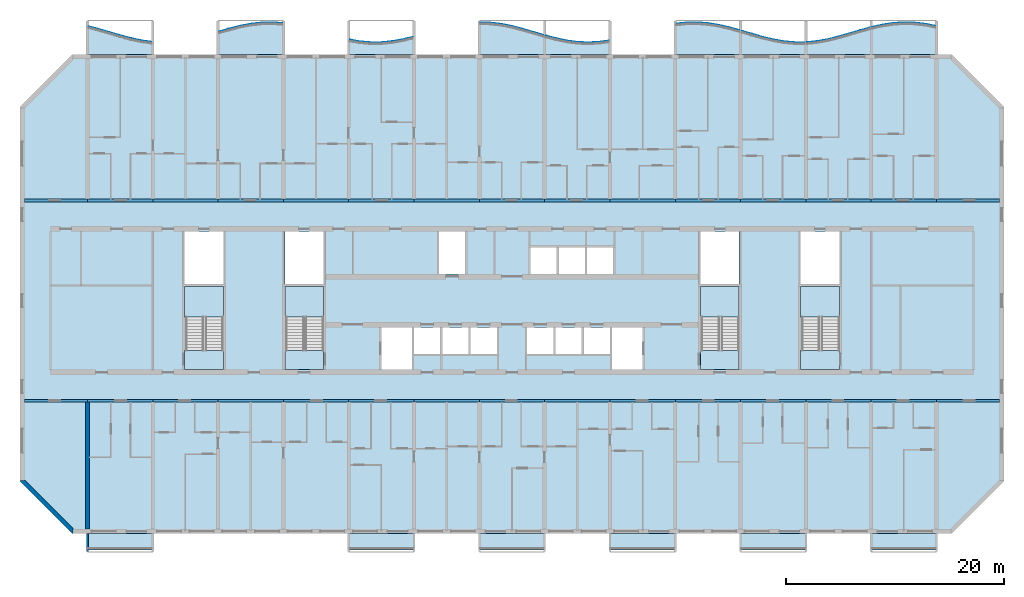
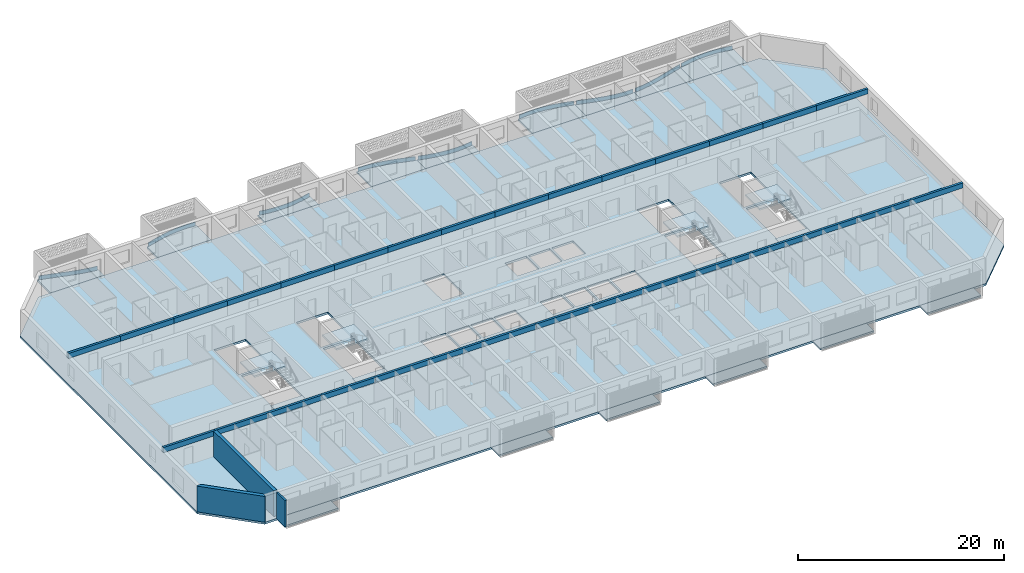
# One storey, part 1 of 30: 30 beams, 24 slabs, 9 plates, 3 walls, 4 elements without a shape of their own.
"""IFC4 building model written with IfcOpenShell, lengths in metres."""

from ifc_helpers import new_model, si_unit, direction, frame, frame_2d, origin, origin_2d, place, context, subcontext, project, spatial, polyline, rectangle, outline, extrude, source, transform, mapped, material, layer, layer_set, material_profile, profile_set, type_object, element, aggregate, save


model = new_model("IFC4")

# Units and contexts
model_context = context("Model", 3, precision=1e-05, world=origin(), true_north=direction((0.0, 1.0)))
body_context = subcontext(model_context, "Body", "Model", "MODEL_VIEW")
ifc_project = project(units=[si_unit("LENGTHUNIT", "METRE"), si_unit("AREAUNIT", "SQUARE_METRE"), si_unit("VOLUMEUNIT", "CUBIC_METRE"), si_unit("PLANEANGLEUNIT", "RADIAN"), si_unit("MASSUNIT", "GRAM", prefix="KILO")], contexts=[model_context])

# Site, building, storey
site_placement = place(None, origin())
site = spatial("IfcSite", under=ifc_project, at=site_placement, CompositionType="ELEMENT")
building_placement = place(site_placement, origin())
building = spatial("IfcBuilding", under=site, at=building_placement, Name="Poui Terraces", CompositionType="ELEMENT")
storey_placement = place(building_placement, frame((0.0, 0.0, 99.300048828125)))
storey = spatial("IfcBuildingStorey", under=building, at=storey_placement, Name="L27", CompositionType="ELEMENT", Elevation=99.300048828125)

# Beams
ifc_material_1 = material(Name="Concrete 65 MPa", Category="concrete")
ifc_material_profile = material_profile(ifc_material_1, rectangle(XDim=0.25, YDim=0.60009765625, at=origin_2d()), Name="RC 250x600")
ifc_profile_set = profile_set([ifc_material_profile], Name="Concrete 65 MPa")
beam_type = type_object("IfcBeamType", Name="COUPLING BEAM 250x600 65MPa", PredefinedType="BEAM", material=ifc_profile_set)
shared_shape_1 = source(origin(), body_context, "Body", "SweptSolid", [
    extrude(rectangle(XDim=0.25, YDim=0.60009765625, at=origin_2d()), origin(), (0.0, 0.0, 1.0), 5.800048828125),
])
for number, where, z_axis, x_axis, name in (
    (1, (6.199951171875, 12.0, 2.760009765625), (1.0, 0.0, 0.0), (0.0, 1.0, 0.0), "COUPLING BEAM LINE B BAY 1"),
    (2, (90.0, 12.0, 2.760009765625), (1.0, 0.0, 0.0), (0.0, 1.0, 0.0), "COUPLING BEAM LINE B BAY 15"),
    (3, (6.199951171875, 30.39990234375, 2.760009765625), (1.0, 0.0, 0.0), (0.0, 1.0, 0.0), "COUPLING BEAM LINE E BAY 1"),
    (4, (90.0, 30.39990234375, 2.760009765625), (1.0, 0.0, 0.0), (0.0, 1.0, 0.0), "COUPLING BEAM LINE E BAY 15"),
):
    element("IfcBeam", number, at=place(storey_placement, frame(where, z_axis=z_axis, x_axis=x_axis)), inside=storey, type_object=beam_type, Name=name, PredefinedType="BEAM", context=body_context, shape_type="MappedRepresentation", body=[
        mapped(shared_shape_1, transform((0.0, 0.0, 0.0))),
    ])
shared_shape_2 = source(origin(), body_context, "Body", "SweptSolid", [
    extrude(rectangle(XDim=0.25, YDim=0.60009765625, at=origin_2d()), origin(), (0.0, 0.0, 1.0), 6.0),
])
for number, where, z_axis, x_axis, name in (
    (5, (12.0, 12.0, 2.760009765625), (1.0, 0.0, 0.0), (0.0, 1.0, 0.0), "COUPLING BEAM LINE B BAY 2"),
    (6, (18.0, 12.0, 2.760009765625), (1.0, 0.0, 0.0), (0.0, 1.0, 0.0), "COUPLING BEAM LINE B BAY 3"),
    (7, (24.0, 12.0, 2.760009765625), (1.0, 0.0, 0.0), (0.0, 1.0, 0.0), "COUPLING BEAM LINE B BAY 4"),
    (8, (30.0, 12.0, 2.760009765625), (1.0, 0.0, 0.0), (0.0, 1.0, 0.0), "COUPLING BEAM LINE B BAY 5"),
    (9, (36.0, 12.0, 2.760009765625), (1.0, 0.0, 0.0), (0.0, 1.0, 0.0), "COUPLING BEAM LINE B BAY 6"),
    (10, (42.0, 12.0, 2.760009765625), (1.0, 0.0, 0.0), (0.0, 1.0, 0.0), "COUPLING BEAM LINE B BAY 7"),
    (11, (48.0, 12.0, 2.760009765625), (1.0, 0.0, 0.0), (0.0, 1.0, 0.0), "COUPLING BEAM LINE B BAY 8"),
    (12, (54.0, 12.0, 2.760009765625), (1.0, 0.0, 0.0), (0.0, 1.0, 0.0), "COUPLING BEAM LINE B BAY 9"),
    (13, (60.0, 12.0, 2.760009765625), (1.0, 0.0, 0.0), (0.0, 1.0, 0.0), "COUPLING BEAM LINE B BAY 10"),
    (14, (66.0, 12.0, 2.760009765625), (1.0, 0.0, 0.0), (0.0, 1.0, 0.0), "COUPLING BEAM LINE B BAY 11"),
    (15, (72.0, 12.0, 2.760009765625), (1.0, 0.0, 0.0), (0.0, 1.0, 0.0), "COUPLING BEAM LINE B BAY 12"),
    (16, (78.0, 12.0, 2.760009765625), (1.0, 0.0, 0.0), (0.0, 1.0, 0.0), "COUPLING BEAM LINE B BAY 13"),
    (17, (84.0, 12.0, 2.760009765625), (1.0, 0.0, 0.0), (0.0, 1.0, 0.0), "COUPLING BEAM LINE B BAY 14"),
    (18, (12.0, 30.39990234375, 2.760009765625), (1.0, 0.0, 0.0), (0.0, 1.0, 0.0), "COUPLING BEAM LINE E BAY 2"),
    (19, (18.0, 30.39990234375, 2.760009765625), (1.0, 0.0, 0.0), (0.0, 1.0, 0.0), "COUPLING BEAM LINE E BAY 3"),
    (20, (24.0, 30.39990234375, 2.760009765625), (1.0, 0.0, 0.0), (0.0, 1.0, 0.0), "COUPLING BEAM LINE E BAY 4"),
    (21, (30.0, 30.39990234375, 2.760009765625), (1.0, 0.0, 0.0), (0.0, 1.0, 0.0), "COUPLING BEAM LINE E BAY 5"),
    (22, (36.0, 30.39990234375, 2.760009765625), (1.0, 0.0, 0.0), (0.0, 1.0, 0.0), "COUPLING BEAM LINE E BAY 6"),
    (23, (42.0, 30.39990234375, 2.760009765625), (1.0, 0.0, 0.0), (0.0, 1.0, 0.0), "COUPLING BEAM LINE E BAY 7"),
    (24, (48.0, 30.39990234375, 2.760009765625), (1.0, 0.0, 0.0), (0.0, 1.0, 0.0), "COUPLING BEAM LINE E BAY 8"),
    (25, (54.0, 30.39990234375, 2.760009765625), (1.0, 0.0, 0.0), (0.0, 1.0, 0.0), "COUPLING BEAM LINE E BAY 9"),
    (26, (60.0, 30.39990234375, 2.760009765625), (1.0, 0.0, 0.0), (0.0, 1.0, 0.0), "COUPLING BEAM LINE E BAY 10"),
    (27, (66.0, 30.39990234375, 2.760009765625), (1.0, 0.0, 0.0), (0.0, 1.0, 0.0), "COUPLING BEAM LINE E BAY 11"),
    (28, (72.0, 30.39990234375, 2.760009765625), (1.0, 0.0, 0.0), (0.0, 1.0, 0.0), "COUPLING BEAM LINE E BAY 12"),
    (29, (78.0, 30.39990234375, 2.760009765625), (1.0, 0.0, 0.0), (0.0, 1.0, 0.0), "COUPLING BEAM LINE E BAY 13"),
    (30, (84.0, 30.39990234375, 2.760009765625), (1.0, 0.0, 0.0), (0.0, 1.0, 0.0), "COUPLING BEAM LINE E BAY 14"),
):
    element("IfcBeam", number, at=place(storey_placement, frame(where, z_axis=z_axis, x_axis=x_axis)), inside=storey, type_object=beam_type, Name=name, PredefinedType="BEAM", context=body_context, shape_type="MappedRepresentation", body=[
        mapped(shared_shape_2, transform((0.0, 0.0, 0.0))),
    ])

# Slabs
ifc_material_2 = material(Name="Precast concrete 40 MPa", Category="concrete")
ifc_layer_1 = layer(ifc_material_2, 0.199951171875)
ifc_layer_set_1 = layer_set([ifc_layer_1], Name="Precast concrete 40 MPa")
slab_type_1 = type_object("IfcSlabType", Name="BALCONY SLAB 200", PredefinedType="FLOOR", material=ifc_layer_set_1)
slab_1_placement = place(storey_placement, frame((0.0, 0.0, -0.2001953125)))
element("IfcSlab", 31, at=slab_1_placement, inside=storey, type_object=slab_type_1, Name="BALCONY SLAB", PredefinedType="FLOOR", context=body_context, shape_type="SweptSolid", body=[
    extrude(outline(polyline([(12.0, 43.800048828125), (18.0, 43.800048828125), (18.0, 44.94384765625), (17.0, 45.078125), (16.0, 45.289306640625), (15.0, 45.5556640625), (14.0, 45.849853515625), (13.0, 46.141357421875), (12.0, 46.400390625), (12.0, 43.800048828125)])), origin(), (0.0, 0.0, 1.0), 0.2001953125),
])
slab_2_placement = place(storey_placement, frame((0.0, 0.0, -0.2001953125)))
element("IfcSlab", 32, at=slab_2_placement, inside=storey, type_object=slab_type_1, Name="BALCONY SLAB", PredefinedType="FLOOR", context=body_context, shape_type="SweptSolid", body=[
    extrude(outline(polyline([(24.0, 43.800048828125), (30.0, 43.800048828125), (30.0, 46.6708984375), (29.0, 46.745849609375), (28.0, 46.72607421875), (27.0, 46.61328125), (26.0, 46.419677734375), (25.0, 46.16455078125), (24.0, 45.874755859375), (24.0, 43.800048828125)])), origin(), (0.0, 0.0, 1.0), 0.2001953125),
])
slab_3_placement = place(storey_placement, frame((0.0, 0.0, -0.2001953125)))
element("IfcSlab", 33, at=slab_3_placement, inside=storey, type_object=slab_type_1, Name="BALCONY SLAB", PredefinedType="FLOOR", context=body_context, shape_type="SweptSolid", body=[
    extrude(outline(polyline([(36.0, 43.800048828125), (42.0, 43.800048828125), (42.0, 45.439697265625), (41.0, 45.193115234375), (40.0, 45.01171875), (39.0, 44.9140625), (38.0, 44.91015625), (37.0, 45.000244140625), (36.0, 45.17529296875), (36.0, 43.800048828125)])), origin(), (0.0, 0.0, 1.0), 0.2001953125),
])
slab_4_placement = place(storey_placement, frame((0.0, 0.0, -0.2001953125)))
element("IfcSlab", 34, at=slab_4_placement, inside=storey, type_object=slab_type_1, Name="BALCONY SLAB", PredefinedType="FLOOR", context=body_context, shape_type="SweptSolid", body=[
    extrude(outline(polyline([(48.0, 43.800048828125), (54.0, 43.800048828125), (54.0, 45.5556640625), (53.0, 45.849853515625), (52.0, 46.141357421875), (51.0, 46.400390625), (50.0, 46.60009765625), (49.0, 46.72021484375), (48.0, 46.747802734375), (48.0, 43.800048828125)])), origin(), (0.0, 0.0, 1.0), 0.2001953125),
])
slab_5_placement = place(storey_placement, frame((0.0, 0.0, -0.2001953125)))
element("IfcSlab", 35, at=slab_5_placement, inside=storey, type_object=slab_type_1, Name="BALCONY SLAB", PredefinedType="FLOOR", context=body_context, shape_type="SweptSolid", body=[
    extrude(outline(polyline([(54.0, 43.800048828125), (60.0, 43.800048828125), (60.0, 45.093017578125), (59.0, 44.95166015625), (58.0, 44.900146484375), (57.0, 44.94384765625), (56.0, 45.078125), (55.0, 45.289306640625), (54.0, 45.5556640625), (54.0, 43.800048828125)])), origin(), (0.0, 0.0, 1.0), 0.2001953125),
])
slab_6_placement = place(storey_placement, frame((0.0, 0.0, -0.2001953125)))
element("IfcSlab", 36, at=slab_6_placement, inside=storey, type_object=slab_type_1, Name="BALCONY SLAB", PredefinedType="FLOOR", context=body_context, shape_type="SweptSolid", body=[
    extrude(outline(polyline([(66.0, 43.800048828125), (72.0, 43.800048828125), (72.0, 45.997802734375), (71.0, 46.276611328125), (70.0, 46.509033203125), (69.0, 46.6708984375), (68.0, 46.745849609375), (67.0, 46.72607421875), (66.0, 46.61328125), (66.0, 43.800048828125)])), origin(), (0.0, 0.0, 1.0), 0.2001953125),
])
slab_7_placement = place(storey_placement, frame((0.0, 0.0, -0.2001953125)))
element("IfcSlab", 37, at=slab_7_placement, inside=storey, type_object=slab_type_1, Name="BALCONY SLAB", PredefinedType="FLOOR", context=body_context, shape_type="SweptSolid", body=[
    extrude(outline(polyline([(72.0, 43.800048828125), (78.0, 43.800048828125), (78.0, 44.9140625), (77.0, 44.91015625), (76.0, 45.000244140625), (75.0, 45.17529296875), (74.0, 45.417236328125), (73.0, 45.701171875), (72.0, 45.997802734375), (72.0, 43.800048828125)])), origin(), (0.0, 0.0, 1.0), 0.2001953125),
])
slab_8_placement = place(storey_placement, frame((0.0, 0.0, -0.2001953125)))
element("IfcSlab", 38, at=slab_8_placement, inside=storey, type_object=slab_type_1, Name="BALCONY SLAB", PredefinedType="FLOOR", context=body_context, shape_type="SweptSolid", body=[
    extrude(outline(polyline([(78.0, 43.800048828125), (84.0, 43.800048828125), (84.0, 46.298095703125), (83.0, 46.022216796875), (82.0, 45.725830078125), (81.0, 45.439697265625), (80.0, 45.193115234375), (79.0, 45.01171875), (78.0, 44.9140625), (78.0, 43.800048828125)])), origin(), (0.0, 0.0, 1.0), 0.2001953125),
])
slab_9_placement = place(storey_placement, frame((0.0, 0.0, -0.2001953125)))
element("IfcSlab", 39, at=slab_9_placement, inside=storey, type_object=slab_type_1, Name="BALCONY SLAB", PredefinedType="FLOOR", context=body_context, shape_type="SweptSolid", body=[
    extrude(outline(polyline([(84.0, 43.800048828125), (90.0, 43.800048828125), (90.0, 46.400390625), (89.0, 46.60009765625), (88.0, 46.72021484375), (87.0, 46.747802734375), (86.0, 46.680908203125), (85.0, 46.525390625), (84.0, 46.298095703125), (84.0, 43.800048828125)])), origin(), (0.0, 0.0, 1.0), 0.2001953125),
])

# Stair, slabs
stair_type = type_object("IfcStairType", Name="EXIT STAIR 1650 65 MPA", PredefinedType="HALF_TURN_STAIR", material=ifc_material_1)
stair_1_placement = place(storey_placement, origin())
stair_1 = element("IfcStair", 40, at=stair_1_placement, inside=storey, type_object=stair_type, Name="L27 CORE STAIR EAST", PredefinedType="HALF_TURN_STAIR")
ifc_layer_2 = layer(ifc_material_1, 0.199951171875)
ifc_layer_set_2 = layer_set([ifc_layer_2], Name="Concrete 65 MPa")
slab_type_2 = type_object("IfcSlabType", Name="STAIR LANDING 200 65 MPA", PredefinedType="LANDING", material=ifc_layer_set_2)
slab_10_placement = place(storey_placement, frame((0.0, 0.0, 1.449951171875)))
slab_10 = element("IfcSlab", 41, at=slab_10_placement, type_object=slab_type_2, Name="ST-CE landing 1", PredefinedType="LANDING", context=body_context, shape_type="SweptSolid", body=[
    extrude(outline(polyline([(68.324951171875, 19.679931640625), (71.875, 19.679931640625), (71.875, 22.47509765625), (68.324951171875, 22.47509765625), (68.324951171875, 19.679931640625)])), origin(), (0.0, 0.0, 1.0), 0.199951171875),
])
slab_11_placement = place(storey_placement, frame((0.0, 0.0, -0.2001953125)))
slab_11 = element("IfcSlab", 42, at=slab_11_placement, type_object=slab_type_2, Name="ST-CE landing 2", PredefinedType="LANDING", context=body_context, shape_type="SweptSolid", body=[
    extrude(outline(polyline([(68.324951171875, 14.85009765625), (71.875, 14.85009765625), (71.875, 16.60009765625), (68.324951171875, 16.60009765625), (68.324951171875, 14.85009765625)])), origin(), (0.0, 0.0, 1.0), 0.2001953125),
])
aggregate(stair_1, [slab_10, slab_11])

stair_2_placement = place(storey_placement, origin())
stair_2 = element("IfcStair", 43, at=stair_2_placement, inside=storey, type_object=stair_type, Name="L27 CORE STAIR WEST", PredefinedType="HALF_TURN_STAIR")
slab_12_placement = place(storey_placement, frame((0.0, 0.0, 1.449951171875)))
slab_12 = element("IfcSlab", 44, at=slab_12_placement, type_object=slab_type_2, Name="ST-CW landing 1", PredefinedType="LANDING", context=body_context, shape_type="SweptSolid", body=[
    extrude(outline(polyline([(30.125, 19.679931640625), (33.675048828125, 19.679931640625), (33.675048828125, 22.47509765625), (30.125, 22.47509765625), (30.125, 19.679931640625)])), origin(), (0.0, 0.0, 1.0), 0.199951171875),
])
slab_13_placement = place(storey_placement, frame((0.0, 0.0, -0.2001953125)))
slab_13 = element("IfcSlab", 45, at=slab_13_placement, type_object=slab_type_2, Name="ST-CW landing 2", PredefinedType="LANDING", context=body_context, shape_type="SweptSolid", body=[
    extrude(outline(polyline([(30.125, 14.85009765625), (33.675048828125, 14.85009765625), (33.675048828125, 16.60009765625), (30.125, 16.60009765625), (30.125, 14.85009765625)])), origin(), (0.0, 0.0, 1.0), 0.2001953125),
])
aggregate(stair_2, [slab_12, slab_13])

stair_3_placement = place(storey_placement, origin())
stair_3 = element("IfcStair", 46, at=stair_3_placement, inside=storey, type_object=stair_type, Name="L27 TIP STAIR EAST", PredefinedType="HALF_TURN_STAIR")
slab_14_placement = place(storey_placement, frame((0.0, 0.0, 1.449951171875)))
slab_14 = element("IfcSlab", 47, at=slab_14_placement, type_object=slab_type_2, Name="ST-E landing 1", PredefinedType="LANDING", context=body_context, shape_type="SweptSolid", body=[
    extrude(outline(polyline([(77.52490234375, 19.679931640625), (81.074951171875, 19.679931640625), (81.074951171875, 22.47509765625), (77.52490234375, 22.47509765625), (77.52490234375, 19.679931640625)])), origin(), (0.0, 0.0, 1.0), 0.199951171875),
])
slab_15_placement = place(storey_placement, frame((0.0, 0.0, -0.2001953125)))
slab_15 = element("IfcSlab", 48, at=slab_15_placement, type_object=slab_type_2, Name="ST-E landing 2", PredefinedType="LANDING", context=body_context, shape_type="SweptSolid", body=[
    extrude(outline(polyline([(77.52490234375, 14.85009765625), (81.074951171875, 14.85009765625), (81.074951171875, 16.60009765625), (77.52490234375, 16.60009765625), (77.52490234375, 14.85009765625)])), origin(), (0.0, 0.0, 1.0), 0.2001953125),
])
aggregate(stair_3, [slab_14, slab_15])

stair_4_placement = place(storey_placement, origin())
stair_4 = element("IfcStair", 49, at=stair_4_placement, inside=storey, type_object=stair_type, Name="L27 TIP STAIR WEST", PredefinedType="HALF_TURN_STAIR")
slab_16_placement = place(storey_placement, frame((0.0, 0.0, 1.449951171875)))
slab_16 = element("IfcSlab", 50, at=slab_16_placement, type_object=slab_type_2, Name="ST-W landing 1", PredefinedType="LANDING", context=body_context, shape_type="SweptSolid", body=[
    extrude(outline(polyline([(20.925048828125, 19.679931640625), (24.47509765625, 19.679931640625), (24.47509765625, 22.47509765625), (20.925048828125, 22.47509765625), (20.925048828125, 19.679931640625)])), origin(), (0.0, 0.0, 1.0), 0.199951171875),
])
slab_17_placement = place(storey_placement, frame((0.0, 0.0, -0.2001953125)))
slab_17 = element("IfcSlab", 51, at=slab_17_placement, type_object=slab_type_2, Name="ST-W landing 2", PredefinedType="LANDING", context=body_context, shape_type="SweptSolid", body=[
    extrude(outline(polyline([(20.925048828125, 14.85009765625), (24.47509765625, 14.85009765625), (24.47509765625, 16.60009765625), (20.925048828125, 16.60009765625), (20.925048828125, 14.85009765625)])), origin(), (0.0, 0.0, 1.0), 0.2001953125),
])
aggregate(stair_4, [slab_16, slab_17])

# Plates
ifc_layer_3 = layer(ifc_material_2, 0.080078125)
ifc_layer_set_3 = layer_set([ifc_layer_3], Name="Precast concrete 40 MPa")
plate_type = type_object("IfcPlateType", Name="SUNSHADE UPSTAND 80", PredefinedType="SHEET", material=ifc_layer_set_3)
plate_1_placement = place(storey_placement, origin())
element("IfcPlate", 52, at=plate_1_placement, inside=storey, type_object=plate_type, Name="SUNSHADE UPSTAND", PredefinedType="SHEET", context=body_context, shape_type="SweptSolid", body=[
    extrude(outline(polyline([(13.0107421875, 46.135009765625), (12.135009765625, 46.364501953125), (12.114990234375, 46.287109375), (12.9892578125, 46.057861328125), (13.98876953125, 45.766357421875), (14.9892578125, 45.47216796875), (15.99072265625, 45.205322265625), (16.9931640625, 44.99365234375), (17.869384765625, 44.87109375), (17.880615234375, 44.950439453125), (17.0068359375, 45.072509765625), (16.00927734375, 45.283203125), (15.0107421875, 45.54931640625), (14.01123046875, 45.84326171875), (13.0107421875, 46.135009765625)])), origin(), (0.0, 0.0, 1.0), 0.449951171875),
])
plate_2_placement = place(storey_placement, origin())
element("IfcPlate", 53, at=plate_2_placement, inside=storey, type_object=plate_type, Name="SUNSHADE UPSTAND", PredefinedType="SHEET", context=body_context, shape_type="SweptSolid", body=[
    extrude(outline(polyline([(24.989501953125, 46.158203125), (24.114013671875, 45.9052734375), (24.135986328125, 45.828369140625), (25.010498046875, 46.0810546875), (26.0087890625, 46.33544921875), (27.006103515625, 46.52880859375), (28.002685546875, 46.64111328125), (28.9990234375, 46.660888671875), (29.872314453125, 46.6005859375), (29.877685546875, 46.68017578125), (29.856201171875, 46.681884765625), (29.0009765625, 46.740966796875), (27.997314453125, 46.720947265625), (26.993896484375, 46.60791015625), (25.9912109375, 46.41357421875), (24.989501953125, 46.158203125)])), origin(), (0.0, 0.0, 1.0), 0.449951171875),
])
plate_3_placement = place(storey_placement, origin())
element("IfcPlate", 54, at=plate_3_placement, inside=storey, type_object=plate_type, Name="SUNSHADE UPSTAND", PredefinedType="SHEET", context=body_context, shape_type="SweptSolid", body=[
    extrude(outline(polyline([(37.005126953125, 44.9951171875), (36.131591796875, 45.143798828125), (36.118408203125, 45.06494140625), (36.994873046875, 44.91552734375), (37.998291015625, 44.8251953125), (39.001953125, 44.8291015625), (40.005615234375, 44.927001953125), (41.00830078125, 45.109130859375), (41.884521484375, 45.322265625), (41.865478515625, 45.39990234375), (40.99169921875, 45.1875), (39.994384765625, 45.00634765625), (38.998046875, 44.908935546875), (38.001708984375, 44.905029296875), (37.005126953125, 44.9951171875)])), origin(), (0.0, 0.0, 1.0), 0.449951171875),
])
plate_4_placement = place(storey_placement, origin())
element("IfcPlate", 55, at=plate_4_placement, inside=storey, type_object=plate_type, Name="SUNSHADE UPSTAND", PredefinedType="SHEET", context=body_context, shape_type="SweptSolid", body=[
    extrude(outline(polyline([(49.003173828125, 46.715087890625), (48.16748046875, 46.743408203125), (48.126220703125, 46.744384765625), (48.12353515625, 46.664794921875), (48.996826171875, 46.635009765625), (49.99365234375, 46.515625), (50.9912109375, 46.31640625), (51.989501953125, 46.057861328125), (52.98876953125, 45.7666015625), (53.86376953125, 45.50830078125), (53.88623046875, 45.5849609375), (53.01123046875, 45.84326171875), (52.010498046875, 46.135009765625), (51.0087890625, 46.394287109375), (50.00634765625, 46.594482421875), (49.003173828125, 46.715087890625)])), origin(), (0.0, 0.0, 1.0), 0.449951171875),
])
plate_5_placement = place(storey_placement, origin())
element("IfcPlate", 56, at=plate_5_placement, inside=storey, type_object=plate_type, Name="SUNSHADE UPSTAND", PredefinedType="SHEET", context=body_context, shape_type="SweptSolid", body=[
    extrude(outline(polyline([(55.00927734375, 45.283203125), (54.13525390625, 45.513916015625), (54.11474609375, 45.436767578125), (54.99072265625, 45.205322265625), (55.9931640625, 44.99365234375), (56.99658203125, 44.85888671875), (58.000244140625, 44.81494140625), (59.003662109375, 44.86669921875), (59.88037109375, 44.986083984375), (59.86962890625, 45.0654296875), (58.996337890625, 44.946533203125), (57.999755859375, 44.89501953125), (57.00341796875, 44.938720703125), (56.0068359375, 45.072509765625), (55.00927734375, 45.283203125)])), origin(), (0.0, 0.0, 1.0), 0.449951171875),
])
plate_6_placement = place(storey_placement, origin())
element("IfcPlate", 57, at=plate_6_placement, inside=storey, type_object=plate_type, Name="SUNSHADE UPSTAND", PredefinedType="SHEET", context=body_context, shape_type="SweptSolid", body=[
    extrude(outline(polyline([(66.99755859375, 46.720947265625), (66.123291015625, 46.627197265625), (66.12060546875, 46.626953125), (66.12939453125, 46.54736328125), (67.00244140625, 46.64111328125), (67.998779296875, 46.660888671875), (68.995361328125, 46.586181640625), (69.9921875, 46.4248046875), (70.989990234375, 46.19287109375), (71.8642578125, 45.95068359375), (71.8857421875, 46.02783203125), (71.010009765625, 46.2705078125), (70.0078125, 46.50341796875), (69.004638671875, 46.665771484375), (68.001220703125, 46.740966796875), (66.99755859375, 46.720947265625)])), origin(), (0.0, 0.0, 1.0), 0.449951171875),
])
plate_7_placement = place(storey_placement, origin())
element("IfcPlate", 58, at=plate_7_placement, inside=storey, type_object=plate_type, Name="SUNSHADE UPSTAND", PredefinedType="SHEET", context=body_context, shape_type="SweptSolid", body=[
    extrude(outline(polyline([(73.01123046875, 45.694580078125), (72.136474609375, 45.95458984375), (72.113525390625, 45.877685546875), (72.98876953125, 45.617919921875), (73.98974609375, 45.33349609375), (74.99169921875, 45.09130859375), (75.99462890625, 44.91552734375), (76.998291015625, 44.8251953125), (77.875, 44.8232421875), (77.875, 44.9033203125), (77.001708984375, 44.905029296875), (76.00537109375, 44.994873046875), (75.00830078125, 45.16943359375), (74.01025390625, 45.410888671875), (73.01123046875, 45.694580078125)])), origin(), (0.0, 0.0, 1.0), 0.449951171875),
])
plate_8_placement = place(storey_placement, origin())
element("IfcPlate", 59, at=plate_8_placement, inside=storey, type_object=plate_type, Name="SUNSHADE UPSTAND", PredefinedType="SHEET", context=body_context, shape_type="SweptSolid", body=[
    extrude(outline(polyline([(78.994384765625, 45.00634765625), (78.120849609375, 44.916015625), (78.129150390625, 44.83642578125), (79.005615234375, 44.92724609375), (80.00830078125, 45.109130859375), (81.01025390625, 45.356201171875), (82.01123046875, 45.642333984375), (83.010986328125, 45.938720703125), (83.8857421875, 46.182373046875), (83.8642578125, 46.259521484375), (82.989013671875, 46.015625), (81.98876953125, 45.71923828125), (80.98974609375, 45.433349609375), (79.99169921875, 45.1875), (78.994384765625, 45.00634765625)])), origin(), (0.0, 0.0, 1.0), 0.449951171875),
])
plate_9_placement = place(storey_placement, origin())
element("IfcPlate", 60, at=plate_9_placement, inside=storey, type_object=plate_type, Name="SUNSHADE UPSTAND", PredefinedType="SHEET", context=body_context, shape_type="SweptSolid", body=[
    extrude(outline(polyline([(84.99267578125, 46.52001953125), (84.1162109375, 46.323974609375), (84.1337890625, 46.245849609375), (85.00732421875, 46.441162109375), (86.00439453125, 46.595947265625), (87.000732421875, 46.662841796875), (87.9970703125, 46.635009765625), (88.993896484375, 46.515625), (89.8671875, 46.3447265625), (89.8828125, 46.42333984375), (89.006103515625, 46.594482421875), (88.0029296875, 46.715087890625), (86.999267578125, 46.742919921875), (85.99560546875, 46.675537109375), (84.99267578125, 46.52001953125)])), origin(), (0.0, 0.0, 1.0), 0.449951171875),
])

# Slabs
ifc_material_3 = material(Name="Concrete 40 MPa", Category="concrete")
ifc_layer_4 = layer(ifc_material_3, 0.239990234375)
ifc_layer_set_4 = layer_set([ifc_layer_4], Name="Concrete 40 MPa")
slab_type_3 = type_object("IfcSlabType", Name="FLOOR SLAB 240", PredefinedType="FLOOR", material=ifc_layer_set_4)
shared_shape_3 = source(origin(), body_context, "Body", "SweptSolid", [
    extrude(outline(polyline([(0.0, 0.0), (4.800048828125, -4.800048828125), (85.599853515625, -4.800048828125), (90.39990234375, 0.0), (90.39990234375, 34.39990234375), (85.599853515625, 39.199951171875), (4.800048828125, 39.199951171875), (0.0, 34.39990234375), (0.0, 0.0)]), holes=[polyline([(33.199951171875, 10.25), (33.199951171875, 14.14990234375), (36.0, 14.14990234375), (36.0, 10.25), (33.199951171875, 10.25)]), polyline([(36.199951171875, 11.699951171875), (36.199951171875, 14.14990234375), (38.599853515625, 14.14990234375), (38.599853515625, 11.699951171875), (36.199951171875, 11.699951171875)]), polyline([(38.800048828125, 11.699951171875), (38.800048828125, 14.14990234375), (41.199951171875, 14.14990234375), (41.199951171875, 11.699951171875), (38.800048828125, 11.699951171875)]), polyline([(41.39990234375, 14.14990234375), (43.800048828125, 14.14990234375), (43.800048828125, 11.699951171875), (41.39990234375, 11.699951171875), (41.39990234375, 14.14990234375)]), polyline([(46.599853515625, 14.14990234375), (49.0, 14.14990234375), (49.0, 11.699951171875), (46.599853515625, 11.699951171875), (46.599853515625, 14.14990234375)]), polyline([(15.224853515625, 17.849853515625), (18.675048828125, 17.849853515625), (18.675048828125, 12.0), (18.675048828125, 10.25), (15.125, 10.25), (15.125, 12.0), (15.224853515625, 12.0), (15.224853515625, 17.849853515625)]), polyline([(24.425048828125, 17.849853515625), (27.875, 17.849853515625), (27.875, 12.0), (27.875, 10.25), (24.324951171875, 10.25), (24.324951171875, 12.0), (24.425048828125, 12.0), (24.425048828125, 17.849853515625)]), polyline([(15.125, 18.125), (15.125, 22.949951171875), (18.675048828125, 22.949951171875), (18.675048828125, 18.125), (15.125, 18.125)]), polyline([(24.324951171875, 22.949951171875), (27.875, 22.949951171875), (27.875, 18.125), (24.324951171875, 18.125), (24.324951171875, 22.949951171875)]), polyline([(38.5, 22.949951171875), (40.89990234375, 22.949951171875), (40.89990234375, 19.0498046875), (38.5, 19.0498046875), (38.5, 22.949951171875)]), polyline([(54.39990234375, 10.25), (54.39990234375, 14.14990234375), (57.199951171875, 14.14990234375), (57.199951171875, 10.25), (54.39990234375, 10.25)]), polyline([(49.199951171875, 11.699951171875), (49.199951171875, 14.14990234375), (51.599853515625, 14.14990234375), (51.599853515625, 11.699951171875), (49.199951171875, 11.699951171875)]), polyline([(51.800048828125, 11.699951171875), (51.800048828125, 14.14990234375), (54.199951171875, 14.14990234375), (54.199951171875, 11.699951171875), (51.800048828125, 11.699951171875)]), polyline([(66.074951171875, 17.849853515625), (66.074951171875, 12.0), (66.074951171875, 10.25), (62.52490234375, 10.25), (62.52490234375, 12.0), (62.625, 12.0), (62.625, 17.849853515625), (66.074951171875, 17.849853515625)]), polyline([(75.27490234375, 17.849853515625), (75.27490234375, 12.0), (75.27490234375, 10.25), (71.724853515625, 10.25), (71.724853515625, 12.0), (71.824951171875, 12.0), (71.824951171875, 17.849853515625), (75.27490234375, 17.849853515625)]), polyline([(46.89990234375, 19.0498046875), (46.89990234375, 21.5), (49.300048828125, 21.5), (49.300048828125, 19.0498046875), (46.89990234375, 19.0498046875)]), polyline([(49.5, 19.0498046875), (49.5, 21.5), (51.89990234375, 21.5), (51.89990234375, 19.0498046875), (49.5, 19.0498046875)]), polyline([(52.099853515625, 19.0498046875), (52.099853515625, 21.5), (54.5, 21.5), (54.5, 19.0498046875), (52.099853515625, 19.0498046875)]), polyline([(62.52490234375, 22.949951171875), (66.074951171875, 22.949951171875), (66.074951171875, 18.125), (62.52490234375, 18.125), (62.52490234375, 22.949951171875)]), polyline([(71.724853515625, 22.949951171875), (75.27490234375, 22.949951171875), (75.27490234375, 18.125), (71.724853515625, 18.125), (71.724853515625, 22.949951171875)])]), origin(), (0.0, 0.0, 1.0), 0.240234375),
])
slab_18_placement = place(storey_placement, frame((5.800048828125, 4.60009765625, -0.240234375)))
element("IfcSlab", 61, at=slab_18_placement, inside=storey, type_object=slab_type_3, Name="FLOOR SLAB", PredefinedType="FLOOR", context=body_context, shape_type="MappedRepresentation", body=[
    mapped(shared_shape_3, transform((0.0, 0.0, 0.0))),
])
ifc_layer_5 = layer(ifc_material_2, 0.199951171875)
ifc_layer_set_5 = layer_set([ifc_layer_5], Name="Precast concrete 40 MPa")
slab_type_4 = type_object("IfcSlabType", Name="REAR BALCONY SLAB 200", PredefinedType="FLOOR", material=ifc_layer_set_5)
shared_shape_4 = source(origin(), body_context, "Body", "SweptSolid", [
    extrude(outline(polyline([(0.0, 0.0), (6.0, 0.0), (6.0, 1.5), (0.0, 1.5), (0.0, 0.0)])), origin(), (0.0, 0.0, 1.0), 0.2001953125),
])
for number, where, name in (
    (62, (12.0, -1.699951171875, -0.2001953125), "REAR BALCONY SLAB"),
    (63, (36.0, -1.699951171875, -0.2001953125), "REAR BALCONY SLAB"),
    (64, (48.0, -1.699951171875, -0.2001953125), "REAR BALCONY SLAB"),
    (65, (60.0, -1.699951171875, -0.2001953125), "REAR BALCONY SLAB"),
    (66, (72.0, -1.699951171875, -0.2001953125), "REAR BALCONY SLAB"),
    (67, (84.0, -1.699951171875, -0.2001953125), "REAR BALCONY SLAB"),
):
    element("IfcSlab", number, at=place(storey_placement, frame(where)), inside=storey, type_object=slab_type_4, Name=name, PredefinedType="FLOOR", context=body_context, shape_type="MappedRepresentation", body=[
        mapped(shared_shape_4, transform((0.0, 0.0, 0.0))),
    ])

# Walls
ifc_layer_6 = layer(ifc_material_1, 0.35009765625)
ifc_layer_set_6 = layer_set([ifc_layer_6], Name="Concrete 65 MPa")
wall_type_1 = type_object("IfcWallType", Name="CROSS WALL 350 65MPa", PredefinedType="SHEAR", material=ifc_layer_set_6)
wall_1_placement = place(storey_placement, frame((12.0, 0.199951171875, 0.0), z_axis=(0.0, 0.0, 1.0), x_axis=(0.0, 1.0, 0.0)))
element("IfcWall", 68, at=wall_1_placement, inside=storey, type_object=wall_type_1, Name="CROSS WALL LINE 3 SOUTH", PredefinedType="SHEAR", context=body_context, shape_type="SweptSolid", body=[
    extrude(rectangle(XDim=11.675048828125, YDim=0.35009765625, at=frame_2d((5.83740234375, 0.0))), origin(), (0.0, 0.0, 1.0), 3.06005859375),
])
ifc_layer_7 = layer(ifc_material_2, 0.39990234375)
ifc_layer_set_7 = layer_set([ifc_layer_7], Name="Precast concrete 40 MPa")
wall_type_2 = type_object("IfcWallType", Name="TERRACOTTA CLAD CHAMFER WALL 400", PredefinedType="STANDARD", material=ifc_layer_set_7)
wall_2_placement = place(storey_placement, origin())
element("IfcWall", 69, at=wall_2_placement, inside=storey, type_object=wall_type_2, Name="CHAMFER WALL CH07", PredefinedType="STANDARD", context=body_context, shape_type="SweptSolid", body=[
    extrude(outline(polyline([(5.800048828125, 4.682861328125), (5.800048828125, 4.60009765625), (10.60009765625, -0.199951171875), (10.682861328125, -0.199951171875), (10.682861328125, 0.28271484375), (6.28271484375, 4.682861328125), (5.800048828125, 4.682861328125)])), origin(), (0.0, 0.0, 1.0), 3.06005859375),
])
ifc_layer_8 = layer(ifc_material_2, 0.199951171875)
ifc_layer_set_8 = layer_set([ifc_layer_8], Name="Precast concrete 40 MPa")
wall_type_3 = type_object("IfcWallType", Name="REAR FIN 200", PredefinedType="STANDARD", material=ifc_layer_set_8)
shared_shape_5 = source(origin(), body_context, "Body", "SweptSolid", [
    extrude(outline(polyline([(0.0, 0.0), (0.2001953125, 0.0), (0.2001953125, 1.650146484375), (0.0, 1.650146484375), (0.0, 0.0)])), origin(), (0.0, 0.0, 1.0), 3.099853515625),
])
wall_3_placement = place(storey_placement, frame((11.89990234375, -1.85009765625, 0.0)))
element("IfcWall", 70, at=wall_3_placement, inside=storey, type_object=wall_type_3, Name="REAR FIN", PredefinedType="STANDARD", context=body_context, shape_type="MappedRepresentation", body=[
    mapped(shared_shape_5, transform((0.0, 0.0, 0.0))),
])

save(model, "model.ifc")
